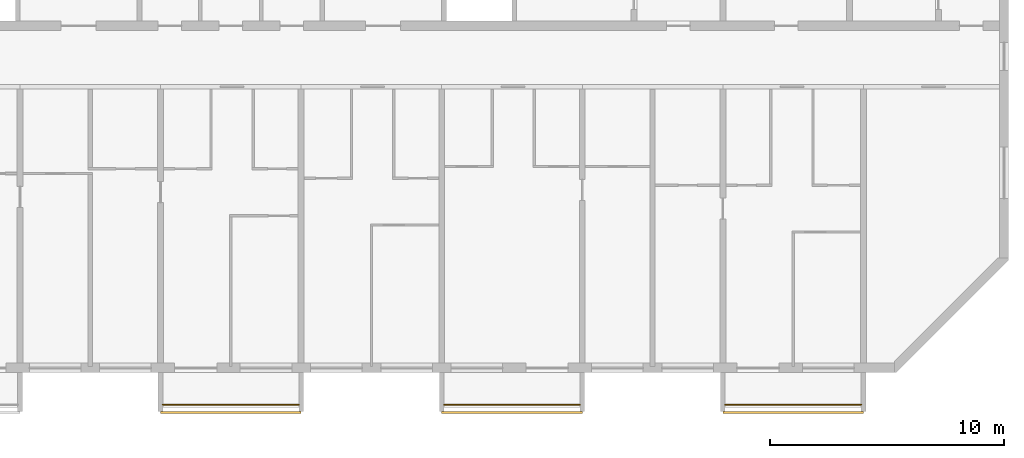
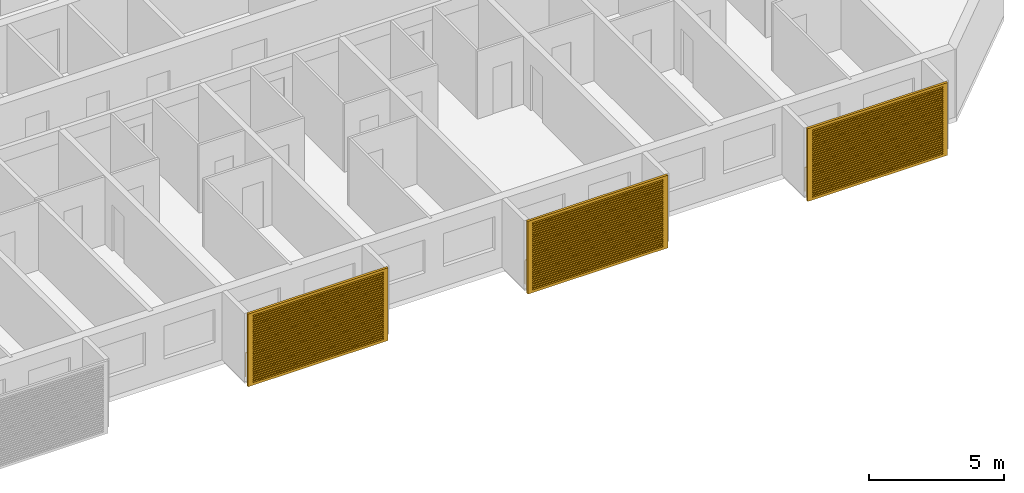
# One storey, part 14 of 27: 3 railings, 3 shading devices.
"""IFC4 building model written with IfcOpenShell, lengths in metres."""

from ifc_helpers import new_model, si_unit, direction, frame, origin, origin_2d, place, context, subcontext, project, spatial, polyline, circle, outline, extrude, source, transform, mapped, material, material_profile, profile_set, type_object, element, save


model = new_model("IFC4")

# Units and contexts
model_context = context("Model", 3, precision=1e-05, world=origin(), true_north=direction((0.0, 1.0)))
body_context = subcontext(model_context, "Body", "Model", "MODEL_VIEW")
ifc_project = project(units=[si_unit("LENGTHUNIT", "METRE"), si_unit("AREAUNIT", "SQUARE_METRE"), si_unit("VOLUMEUNIT", "CUBIC_METRE"), si_unit("PLANEANGLEUNIT", "RADIAN"), si_unit("MASSUNIT", "GRAM", prefix="KILO")], contexts=[model_context])

# Site, building, storey
site_placement = place(None, origin())
site = spatial("IfcSite", under=ifc_project, at=site_placement, CompositionType="ELEMENT")
building_placement = place(site_placement, origin())
building = spatial("IfcBuilding", under=site, at=building_placement, Name="Poui Terraces", CompositionType="ELEMENT")
storey_placement = place(building_placement, frame((0.0, 0.0, 195.0)))
storey = spatial("IfcBuildingStorey", under=building, at=storey_placement, Name="L54", CompositionType="ELEMENT", Elevation=195.0)

# Railings
ifc_material_1 = material(Name="Painted steel fretwork", Category="steel")
railing_type = type_object("IfcRailingType", Name="BALCONY GUARD 1100", PredefinedType="GUARDRAIL", material=ifc_material_1)
for number, where, name in (
    (1, (48.10009765625, -1.570068359375, 0.0), "BALCONY GUARD"),
    (2, (60.10009765625, -1.570068359375, 0.0), "BALCONY GUARD"),
    (3, (72.10009765625, -1.570068359375, 0.0), "BALCONY GUARD"),
):
    element("IfcRailing", number, at=place(storey_placement, frame(where)), inside=storey, type_object=railing_type, Name=name, PredefinedType="GUARDRAIL", context=body_context, shape_type="SweptSolid", body=[
        extrude(circle(Radius=0.02392578125, at=origin_2d()), frame((0.0, 0.0, 1.076171875), z_axis=(1.0, 0.0, 0.0), x_axis=(0.0, 1.0, 0.0)), (0.0, 0.0, 1.0), 5.7998046875),
        extrude(circle(Radius=0.02099609375, at=origin_2d()), origin(), (0.0, 0.0, 1.0), 1.052001953125),
        extrude(circle(Radius=0.02099609375, at=origin_2d()), frame((0.966552734375, 0.0, 0.0)), (0.0, 0.0, 1.0), 1.052001953125),
        extrude(circle(Radius=0.02099609375, at=origin_2d()), frame((1.933349609375, 0.0, 0.0)), (0.0, 0.0, 1.0), 1.052001953125),
        extrude(circle(Radius=0.02099609375, at=origin_2d()), frame((2.89990234375, 0.0, 0.0)), (0.0, 0.0, 1.0), 1.052001953125),
        extrude(circle(Radius=0.02099609375, at=origin_2d()), frame((3.866455078125, 0.0, 0.0)), (0.0, 0.0, 1.0), 1.052001953125),
        extrude(circle(Radius=0.02099609375, at=origin_2d()), frame((4.833251953125, 0.0, 0.0)), (0.0, 0.0, 1.0), 1.052001953125),
        extrude(circle(Radius=0.02099609375, at=origin_2d()), frame((5.7998046875, 0.0, 0.0)), (0.0, 0.0, 1.0), 1.052001953125),
    ])

# Shading devices
ifc_material_2 = material(Name="Aluminium louvre", Category="aluminium")
ifc_material_profile = material_profile(ifc_material_2, outline(polyline([(-3.0, -1.64990234375), (3.0, -1.64990234375), (3.0, 1.64990234375), (-3.0, 1.64990234375), (-3.0, -1.64990234375)]), holes=[polyline([(-2.800048828125, -1.530029296875), (2.800048828125, -1.530029296875), (2.800048828125, -1.469970703125), (-2.800048828125, -1.469970703125), (-2.800048828125, -1.530029296875)]), polyline([(-2.800048828125, -1.429931640625), (2.800048828125, -1.429931640625), (2.800048828125, -1.3701171875), (-2.800048828125, -1.3701171875), (-2.800048828125, -1.429931640625)]), polyline([(-2.800048828125, -1.330078125), (2.800048828125, -1.330078125), (2.800048828125, -1.27001953125), (-2.800048828125, -1.27001953125), (-2.800048828125, -1.330078125)]), polyline([(-2.800048828125, -1.22998046875), (2.800048828125, -1.22998046875), (2.800048828125, -1.169921875), (-2.800048828125, -1.169921875), (-2.800048828125, -1.22998046875)]), polyline([(-2.800048828125, -1.1298828125), (2.800048828125, -1.1298828125), (2.800048828125, -1.070068359375), (-2.800048828125, -1.070068359375), (-2.800048828125, -1.1298828125)]), polyline([(-2.800048828125, -1.030029296875), (2.800048828125, -1.030029296875), (2.800048828125, -0.969970703125), (-2.800048828125, -0.969970703125), (-2.800048828125, -1.030029296875)]), polyline([(-2.800048828125, -0.929931640625), (2.800048828125, -0.929931640625), (2.800048828125, -0.8701171875), (-2.800048828125, -0.8701171875), (-2.800048828125, -0.929931640625)]), polyline([(-2.800048828125, -0.830078125), (2.800048828125, -0.830078125), (2.800048828125, -0.77001953125), (-2.800048828125, -0.77001953125), (-2.800048828125, -0.830078125)]), polyline([(-2.800048828125, -0.72998046875), (2.800048828125, -0.72998046875), (2.800048828125, -0.669921875), (-2.800048828125, -0.669921875), (-2.800048828125, -0.72998046875)]), polyline([(-2.800048828125, -0.6298828125), (2.800048828125, -0.6298828125), (2.800048828125, -0.570068359375), (-2.800048828125, -0.570068359375), (-2.800048828125, -0.6298828125)]), polyline([(-2.800048828125, -0.530029296875), (2.800048828125, -0.530029296875), (2.800048828125, -0.469970703125), (-2.800048828125, -0.469970703125), (-2.800048828125, -0.530029296875)]), polyline([(-2.800048828125, -0.429931640625), (2.800048828125, -0.429931640625), (2.800048828125, -0.3701171875), (-2.800048828125, -0.3701171875), (-2.800048828125, -0.429931640625)]), polyline([(-2.800048828125, -0.330078125), (2.800048828125, -0.330078125), (2.800048828125, -0.27001953125), (-2.800048828125, -0.27001953125), (-2.800048828125, -0.330078125)]), polyline([(-2.800048828125, -0.22998046875), (2.800048828125, -0.22998046875), (2.800048828125, -0.169921875), (-2.800048828125, -0.169921875), (-2.800048828125, -0.22998046875)]), polyline([(-2.800048828125, -0.1298828125), (2.800048828125, -0.1298828125), (2.800048828125, -0.070068359375), (-2.800048828125, -0.070068359375), (-2.800048828125, -0.1298828125)]), polyline([(-2.800048828125, -0.030029296875), (2.800048828125, -0.030029296875), (2.800048828125, 0.030029296875), (-2.800048828125, 0.030029296875), (-2.800048828125, -0.030029296875)]), polyline([(-2.800048828125, 0.070068359375), (2.800048828125, 0.070068359375), (2.800048828125, 0.1298828125), (-2.800048828125, 0.1298828125), (-2.800048828125, 0.070068359375)]), polyline([(-2.800048828125, 0.169921875), (2.800048828125, 0.169921875), (2.800048828125, 0.22998046875), (-2.800048828125, 0.22998046875), (-2.800048828125, 0.169921875)]), polyline([(-2.800048828125, 0.27001953125), (2.800048828125, 0.27001953125), (2.800048828125, 0.330078125), (-2.800048828125, 0.330078125), (-2.800048828125, 0.27001953125)]), polyline([(-2.800048828125, 0.3701171875), (2.800048828125, 0.3701171875), (2.800048828125, 0.429931640625), (-2.800048828125, 0.429931640625), (-2.800048828125, 0.3701171875)]), polyline([(-2.800048828125, 0.469970703125), (2.800048828125, 0.469970703125), (2.800048828125, 0.530029296875), (-2.800048828125, 0.530029296875), (-2.800048828125, 0.469970703125)]), polyline([(-2.800048828125, 0.570068359375), (2.800048828125, 0.570068359375), (2.800048828125, 0.6298828125), (-2.800048828125, 0.6298828125), (-2.800048828125, 0.570068359375)]), polyline([(-2.800048828125, 0.669921875), (2.800048828125, 0.669921875), (2.800048828125, 0.72998046875), (-2.800048828125, 0.72998046875), (-2.800048828125, 0.669921875)]), polyline([(-2.800048828125, 0.77001953125), (2.800048828125, 0.77001953125), (2.800048828125, 0.830078125), (-2.800048828125, 0.830078125), (-2.800048828125, 0.77001953125)]), polyline([(-2.800048828125, 0.8701171875), (2.800048828125, 0.8701171875), (2.800048828125, 0.929931640625), (-2.800048828125, 0.929931640625), (-2.800048828125, 0.8701171875)]), polyline([(-2.800048828125, 0.969970703125), (2.800048828125, 0.969970703125), (2.800048828125, 1.030029296875), (-2.800048828125, 1.030029296875), (-2.800048828125, 0.969970703125)]), polyline([(-2.800048828125, 1.070068359375), (2.800048828125, 1.070068359375), (2.800048828125, 1.1298828125), (-2.800048828125, 1.1298828125), (-2.800048828125, 1.070068359375)]), polyline([(-2.800048828125, 1.169921875), (2.800048828125, 1.169921875), (2.800048828125, 1.22998046875), (-2.800048828125, 1.22998046875), (-2.800048828125, 1.169921875)]), polyline([(-2.800048828125, 1.27001953125), (2.800048828125, 1.27001953125), (2.800048828125, 1.330078125), (-2.800048828125, 1.330078125), (-2.800048828125, 1.27001953125)]), polyline([(-2.800048828125, 1.3701171875), (2.800048828125, 1.3701171875), (2.800048828125, 1.429931640625), (-2.800048828125, 1.429931640625), (-2.800048828125, 1.3701171875)]), polyline([(-2.800048828125, 1.469970703125), (2.800048828125, 1.469970703125), (2.800048828125, 1.530029296875), (-2.800048828125, 1.530029296875), (-2.800048828125, 1.469970703125)])]), Name="JALOUSIE LOUVRE SHUTTER 6000X3300")
ifc_profile_set = profile_set([ifc_material_profile], Name="Aluminium louvre")
shading_device_type = type_object("IfcShadingDeviceType", Name="JALOUSIE LOUVRE SHUTTER 6000X3300", PredefinedType="JALOUSIE", material=ifc_profile_set)
shared_shape = source(origin(), body_context, "Body", "SweptSolid", [
    extrude(outline(polyline([(-3.0, -1.64990234375), (3.0, -1.64990234375), (3.0, 1.64990234375), (-3.0, 1.64990234375), (-3.0, -1.64990234375)]), holes=[polyline([(-2.800048828125, -1.530029296875), (2.800048828125, -1.530029296875), (2.800048828125, -1.469970703125), (-2.800048828125, -1.469970703125), (-2.800048828125, -1.530029296875)]), polyline([(-2.800048828125, -1.429931640625), (2.800048828125, -1.429931640625), (2.800048828125, -1.3701171875), (-2.800048828125, -1.3701171875), (-2.800048828125, -1.429931640625)]), polyline([(-2.800048828125, -1.330078125), (2.800048828125, -1.330078125), (2.800048828125, -1.27001953125), (-2.800048828125, -1.27001953125), (-2.800048828125, -1.330078125)]), polyline([(-2.800048828125, -1.22998046875), (2.800048828125, -1.22998046875), (2.800048828125, -1.169921875), (-2.800048828125, -1.169921875), (-2.800048828125, -1.22998046875)]), polyline([(-2.800048828125, -1.1298828125), (2.800048828125, -1.1298828125), (2.800048828125, -1.070068359375), (-2.800048828125, -1.070068359375), (-2.800048828125, -1.1298828125)]), polyline([(-2.800048828125, -1.030029296875), (2.800048828125, -1.030029296875), (2.800048828125, -0.969970703125), (-2.800048828125, -0.969970703125), (-2.800048828125, -1.030029296875)]), polyline([(-2.800048828125, -0.929931640625), (2.800048828125, -0.929931640625), (2.800048828125, -0.8701171875), (-2.800048828125, -0.8701171875), (-2.800048828125, -0.929931640625)]), polyline([(-2.800048828125, -0.830078125), (2.800048828125, -0.830078125), (2.800048828125, -0.77001953125), (-2.800048828125, -0.77001953125), (-2.800048828125, -0.830078125)]), polyline([(-2.800048828125, -0.72998046875), (2.800048828125, -0.72998046875), (2.800048828125, -0.669921875), (-2.800048828125, -0.669921875), (-2.800048828125, -0.72998046875)]), polyline([(-2.800048828125, -0.6298828125), (2.800048828125, -0.6298828125), (2.800048828125, -0.570068359375), (-2.800048828125, -0.570068359375), (-2.800048828125, -0.6298828125)]), polyline([(-2.800048828125, -0.530029296875), (2.800048828125, -0.530029296875), (2.800048828125, -0.469970703125), (-2.800048828125, -0.469970703125), (-2.800048828125, -0.530029296875)]), polyline([(-2.800048828125, -0.429931640625), (2.800048828125, -0.429931640625), (2.800048828125, -0.3701171875), (-2.800048828125, -0.3701171875), (-2.800048828125, -0.429931640625)]), polyline([(-2.800048828125, -0.330078125), (2.800048828125, -0.330078125), (2.800048828125, -0.27001953125), (-2.800048828125, -0.27001953125), (-2.800048828125, -0.330078125)]), polyline([(-2.800048828125, -0.22998046875), (2.800048828125, -0.22998046875), (2.800048828125, -0.169921875), (-2.800048828125, -0.169921875), (-2.800048828125, -0.22998046875)]), polyline([(-2.800048828125, -0.1298828125), (2.800048828125, -0.1298828125), (2.800048828125, -0.070068359375), (-2.800048828125, -0.070068359375), (-2.800048828125, -0.1298828125)]), polyline([(-2.800048828125, -0.030029296875), (2.800048828125, -0.030029296875), (2.800048828125, 0.030029296875), (-2.800048828125, 0.030029296875), (-2.800048828125, -0.030029296875)]), polyline([(-2.800048828125, 0.070068359375), (2.800048828125, 0.070068359375), (2.800048828125, 0.1298828125), (-2.800048828125, 0.1298828125), (-2.800048828125, 0.070068359375)]), polyline([(-2.800048828125, 0.169921875), (2.800048828125, 0.169921875), (2.800048828125, 0.22998046875), (-2.800048828125, 0.22998046875), (-2.800048828125, 0.169921875)]), polyline([(-2.800048828125, 0.27001953125), (2.800048828125, 0.27001953125), (2.800048828125, 0.330078125), (-2.800048828125, 0.330078125), (-2.800048828125, 0.27001953125)]), polyline([(-2.800048828125, 0.3701171875), (2.800048828125, 0.3701171875), (2.800048828125, 0.429931640625), (-2.800048828125, 0.429931640625), (-2.800048828125, 0.3701171875)]), polyline([(-2.800048828125, 0.469970703125), (2.800048828125, 0.469970703125), (2.800048828125, 0.530029296875), (-2.800048828125, 0.530029296875), (-2.800048828125, 0.469970703125)]), polyline([(-2.800048828125, 0.570068359375), (2.800048828125, 0.570068359375), (2.800048828125, 0.6298828125), (-2.800048828125, 0.6298828125), (-2.800048828125, 0.570068359375)]), polyline([(-2.800048828125, 0.669921875), (2.800048828125, 0.669921875), (2.800048828125, 0.72998046875), (-2.800048828125, 0.72998046875), (-2.800048828125, 0.669921875)]), polyline([(-2.800048828125, 0.77001953125), (2.800048828125, 0.77001953125), (2.800048828125, 0.830078125), (-2.800048828125, 0.830078125), (-2.800048828125, 0.77001953125)]), polyline([(-2.800048828125, 0.8701171875), (2.800048828125, 0.8701171875), (2.800048828125, 0.929931640625), (-2.800048828125, 0.929931640625), (-2.800048828125, 0.8701171875)]), polyline([(-2.800048828125, 0.969970703125), (2.800048828125, 0.969970703125), (2.800048828125, 1.030029296875), (-2.800048828125, 1.030029296875), (-2.800048828125, 0.969970703125)]), polyline([(-2.800048828125, 1.070068359375), (2.800048828125, 1.070068359375), (2.800048828125, 1.1298828125), (-2.800048828125, 1.1298828125), (-2.800048828125, 1.070068359375)]), polyline([(-2.800048828125, 1.169921875), (2.800048828125, 1.169921875), (2.800048828125, 1.22998046875), (-2.800048828125, 1.22998046875), (-2.800048828125, 1.169921875)]), polyline([(-2.800048828125, 1.27001953125), (2.800048828125, 1.27001953125), (2.800048828125, 1.330078125), (-2.800048828125, 1.330078125), (-2.800048828125, 1.27001953125)]), polyline([(-2.800048828125, 1.3701171875), (2.800048828125, 1.3701171875), (2.800048828125, 1.429931640625), (-2.800048828125, 1.429931640625), (-2.800048828125, 1.3701171875)]), polyline([(-2.800048828125, 1.469970703125), (2.800048828125, 1.469970703125), (2.800048828125, 1.530029296875), (-2.800048828125, 1.530029296875), (-2.800048828125, 1.469970703125)])]), origin(), (0.0, 0.0, 1.0), 0.099853515625),
])
for number, where, z_axis, x_axis, name in (
    (4, (51.0, -1.85009765625, 1.449951171875), (0.0, -1.0, 0.0), (1.0, 0.0, 0.0), "JALOUSIE LOUVRE SHUTTER"),
    (5, (63.0, -1.85009765625, 1.449951171875), (0.0, -1.0, 0.0), (1.0, 0.0, 0.0), "JALOUSIE LOUVRE SHUTTER"),
    (6, (75.0, -1.85009765625, 1.449951171875), (0.0, -1.0, 0.0), (1.0, 0.0, 0.0), "JALOUSIE LOUVRE SHUTTER"),
):
    element("IfcShadingDevice", number, at=place(storey_placement, frame(where, z_axis=z_axis, x_axis=x_axis)), inside=storey, type_object=shading_device_type, Name=name, PredefinedType="JALOUSIE", context=body_context, shape_type="MappedRepresentation", body=[
        mapped(shared_shape, transform((0.0, 0.0, 0.0))),
    ])

save(model, "model.ifc")
